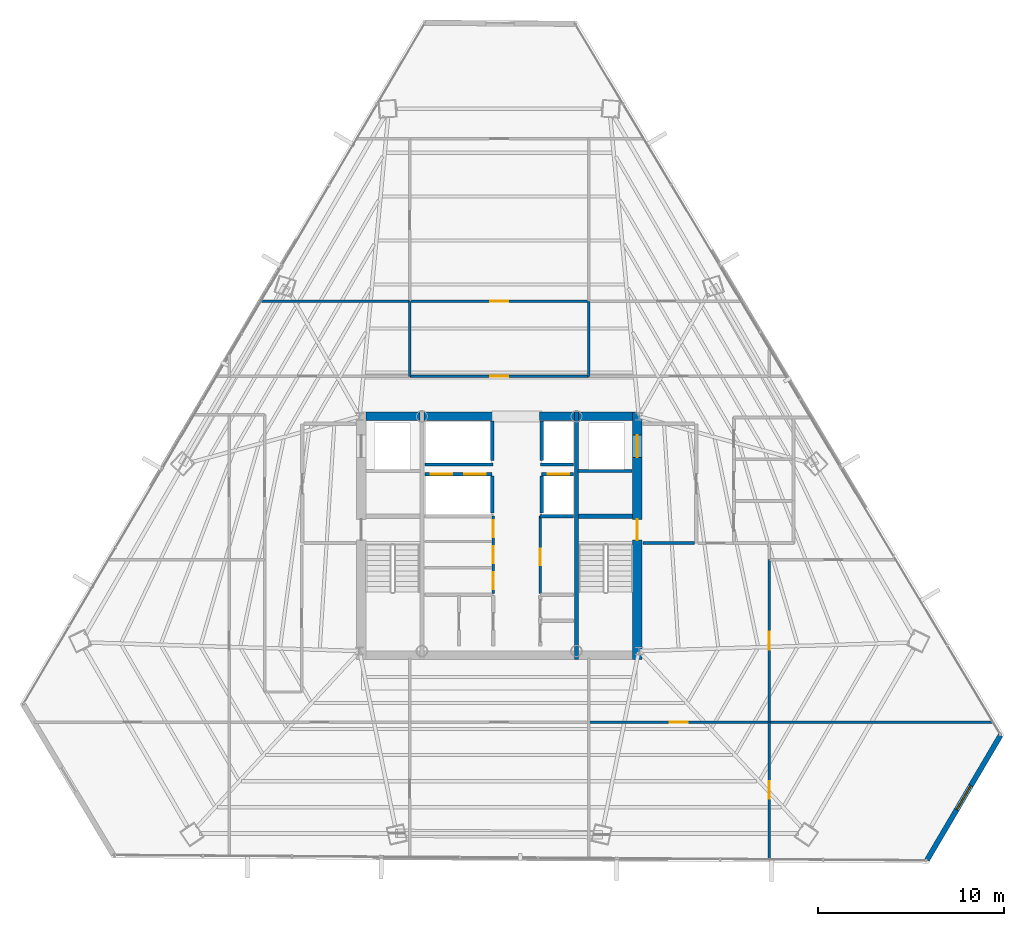
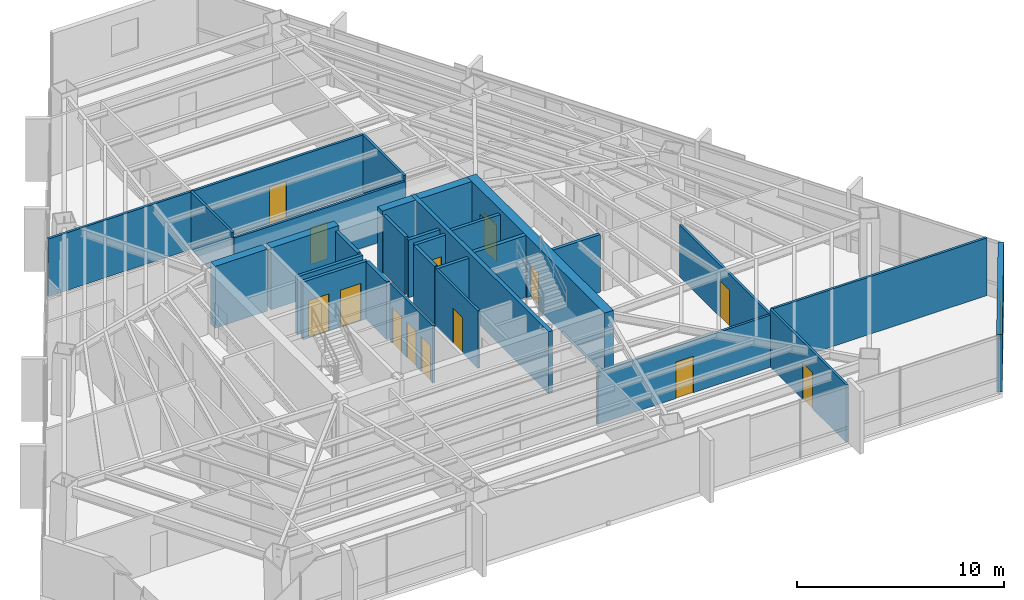
# One storey, part 36 of 41: 30 walls, 14 doors, 1 window, 15 openings.
"""IFC4 building model written with IfcOpenShell, lengths in metres."""

import ifcopenshell
import ifcopenshell.guid

model = None  # the IFC model being written
_history = None  # IfcOwnerHistory: only IFC2X3 demands one
_inside = {}  # id of a spatial element -> (the spatial element, [elements in it])
_under = {}  # id of a project, library or spatial element -> (it, [spatial elements below it])
_declared = {}  # id of a project -> (the project, [libraries it declares])
_typed = {}  # id of a type object -> (the type object, [elements of that type])
_made_of = {}  # id of a material, layer set ... -> (it, [elements and type objects made of it])


def new_model(schema):
    """Start an empty IFC model of exactly this schema.

    Asked for "IFC4X3", IfcOpenShell would pick the latest addendum, in which some entities
    have other attributes; the version numbers below select the first issue.
    IFC2X3 requires an IfcOwnerHistory on every rooted entity: one is made here for all.
    """
    global model, _history
    if schema == "IFC4X3":
        model = ifcopenshell.file(schema_version=(4, 3, 0, 0))
    else:
        model = ifcopenshell.file(schema=schema)
    _inside.clear()
    _under.clear()
    _declared.clear()
    _typed.clear()
    _made_of.clear()
    _history = None
    if model.schema == "IFC2X3":
        org = make("IfcOrganization", Name="unknown")
        user = make(
            "IfcPersonAndOrganization",
            ThePerson=make("IfcPerson", FamilyName="unknown"),
            TheOrganization=org,
        )
        app = make(
            "IfcApplication",
            ApplicationDeveloper=org,
            Version="unknown",
            ApplicationFullName="unknown",
            ApplicationIdentifier="unknown",
        )
        _history = make(
            "IfcOwnerHistory",
            OwningUser=user,
            OwningApplication=app,
            ChangeAction="ADDED",
            CreationDate=0,
        )
    return model


def make(cls, **values):
    """One entity of the class cls with the attributes given. An attribute that is None is left unset."""
    return model.create_entity(
        cls, **{name: value for name, value in values.items() if value is not None}
    )


def rooted(cls, **values):
    """An entity with a GlobalId (a new one), such as an element, a storey or a relation."""
    return make(cls, GlobalId=ifcopenshell.guid.new(), OwnerHistory=_history, **values)


def si_unit(unit_type, name, prefix=None):
    """IfcSIUnit, for example si_unit("LENGTHUNIT", "METRE", prefix="MILLI")."""
    return make("IfcSIUnit", UnitType=unit_type, Prefix=prefix, Name=name)


def assignment(units):
    """IfcUnitAssignment: the units of a project."""
    return None if units is None else make("IfcUnitAssignment", Units=units)


def point(xyz):
    """IfcCartesianPoint."""
    return None if xyz is None else make("IfcCartesianPoint", Coordinates=xyz)


def direction(xyz):
    """IfcDirection."""
    return None if xyz is None else make("IfcDirection", DirectionRatios=xyz)


def frame(location, z_axis=None, x_axis=None):
    """IfcAxis2Placement3D, a coordinate frame: its origin and axes. An axis left out is left unset."""
    return make(
        "IfcAxis2Placement3D",
        Location=point(location),
        Axis=direction(z_axis),
        RefDirection=direction(x_axis),
    )


def frame_2d(location, x_axis=None):
    """IfcAxis2Placement2D, a coordinate frame in the plane: its origin and x axis."""
    return make(
        "IfcAxis2Placement2D", Location=point(location), RefDirection=direction(x_axis)
    )


def origin():
    """The frame at (0, 0, 0) with its axes left unset."""
    return frame((0.0, 0.0, 0.0))


def place(relative_to, where):
    """IfcLocalPlacement: puts the frame where relative to a parent placement (None: the world)."""
    return make(
        "IfcLocalPlacement", PlacementRelTo=relative_to, RelativePlacement=where
    )


def context(
    kind, dimensions, precision=None, world=None, true_north=None, identifier=None
):
    """IfcGeometricRepresentationContext, for example the 3D "Model" context."""
    return make(
        "IfcGeometricRepresentationContext",
        ContextIdentifier=identifier,
        ContextType=kind,
        CoordinateSpaceDimension=dimensions,
        Precision=precision,
        WorldCoordinateSystem=world,
        TrueNorth=true_north,
    )


def subcontext(parent, identifier, kind, view, scale=None):
    """IfcGeometricRepresentationSubContext, for example "Body" below "Model"."""
    return make(
        "IfcGeometricRepresentationSubContext",
        ContextIdentifier=identifier,
        ContextType=kind,
        ParentContext=parent,
        TargetScale=scale,
        TargetView=view,
    )


def project(units=None, contexts=None):
    """IfcProject with its units and contexts."""
    return rooted(
        "IfcProject",
        Name="project",
        RepresentationContexts=contexts,
        UnitsInContext=assignment(units),
    )


def spatial(cls, under=None, at=None, **own):
    """A site, building, storey or space (cls), placed at a placement, below another one or the project."""
    s = rooted(cls, ObjectPlacement=at, **own)
    if under is not None:
        _under.setdefault(under.id(), (under, []))[1].append(s)
    return s


def profile(cls, at=None, kind="AREA", **sizes):
    """A parametric profile (cls). Its sizes go by their IFC names, for example OverallWidth=200.0."""
    return make(cls, ProfileType=kind, Position=at, **sizes)


def rectangle(**sizes):
    """IfcRectangleProfileDef."""
    return profile("IfcRectangleProfileDef", **sizes)


def extrude(swept, where, along, depth):
    """IfcExtrudedAreaSolid: the profile swept, set in the frame where, extruded along a direction by depth."""
    return make(
        "IfcExtrudedAreaSolid",
        SweptArea=swept,
        Position=where,
        ExtrudedDirection=direction(along),
        Depth=depth,
    )


def shape(context_of_items, identifier, shape_type, items):
    """IfcShapeRepresentation: the items that make up one representation, for example the "Body"."""
    return make(
        "IfcShapeRepresentation",
        ContextOfItems=context_of_items,
        RepresentationIdentifier=identifier,
        RepresentationType=shape_type,
        Items=items,
    )


def material(Name=None, Category=None):
    """IfcMaterial."""
    return make("IfcMaterial", Name=Name, Category=Category)


def layer(
    of_material, thickness, ventilated=None, Name=None, Category=None, Priority=None
):
    """IfcMaterialLayer: one layer of a wall or slab, of a material (None: an air gap)."""
    return make(
        "IfcMaterialLayer",
        Material=of_material,
        LayerThickness=thickness,
        IsVentilated=ventilated,
        Name=Name,
        Category=Category,
        Priority=Priority,
    )


def layer_set(layers, Name=None):
    """IfcMaterialLayerSet."""
    return make("IfcMaterialLayerSet", MaterialLayers=layers, LayerSetName=Name)


def made_of(thing, what):
    """Note that an element or type object is made of a material, layer set ...; save() writes the relation."""
    if what is not None:
        _made_of.setdefault(what.id(), (what, []))[1].append(thing)
    return thing


def type_object(cls, material=None, **own):
    """A type object (cls), such as IfcWallType, which elements share."""
    return made_of(rooted(cls, **own), material)


def element(
    cls,
    number,
    at=None,
    inside=None,
    cuts=None,
    type_object=None,
    material=None,
    context=None,
    identifier="Body",
    shape_type=None,
    held_by="IfcProductDefinitionShape",
    body=None,
    shapes=None,
    **own,
):
    """One element of the class cls, such as IfcWall. Its Tag is "e" and its number.

    at: its placement. inside: the storey or other place that contains it. cuts: it is an
    opening in that element (IfcRelVoidsElement). A single representation is given by context,
    identifier, shape_type and body (its items); several are given by shapes. held_by: the class
    of the entity that holds the representations. save() writes the other relations.
    """
    e = rooted(cls, Tag="e%d" % number, ObjectPlacement=at, **own)
    if body is not None:
        shapes = [shape(context, identifier, shape_type, body)]
    if shapes is not None:
        e.Representation = make(held_by, Representations=shapes)
    if inside is not None:
        _inside.setdefault(inside.id(), (inside, []))[1].append(e)
    if cuts is not None:
        rooted(
            "IfcRelVoidsElement", RelatingBuildingElement=cuts, RelatedOpeningElement=e
        )
    if type_object is not None:
        _typed.setdefault(type_object.id(), (type_object, []))[1].append(e)
    return made_of(e, material)


def fill(opening, filler):
    """IfcRelFillsElement: the door or window that sits in an opening."""
    return rooted(
        "IfcRelFillsElement",
        RelatingOpeningElement=opening,
        RelatedBuildingElement=filler,
    )


def aggregate(whole, parts):
    """IfcRelAggregates: a whole, such as a stair, and the parts it consists of."""
    return rooted("IfcRelAggregates", RelatingObject=whole, RelatedObjects=parts)


def save(model, path):
    """Write the relations noted so far, then the file.

    IfcRelAggregates (storeys below a building ...), IfcRelContainedInSpatialStructure (elements
    in a storey), IfcRelDefinesByType, IfcRelAssociatesMaterial and IfcRelDeclares: one each for
    every whole, place, type object, material and project.
    """
    for whole, parts in _under.values():
        aggregate(whole, parts)
    for where, things in _inside.values():
        rooted(
            "IfcRelContainedInSpatialStructure",
            RelatedElements=things,
            RelatingStructure=where,
        )
    for kind, things in _typed.values():
        rooted("IfcRelDefinesByType", RelatedObjects=things, RelatingType=kind)
    for what, things in _made_of.values():
        rooted("IfcRelAssociatesMaterial", RelatedObjects=things, RelatingMaterial=what)
    for by, libraries in _declared.values():
        rooted("IfcRelDeclares", RelatingContext=by, RelatedDefinitions=libraries)
    model.write(path)


model = new_model("IFC4")

# Units and contexts
model_context = context("Model", 3, precision=1e-05, world=origin(), true_north=direction((0.0, 1.0)))
body_context = subcontext(model_context, "Body", "Model", "MODEL_VIEW")
ifc_project = project(units=[si_unit("LENGTHUNIT", "METRE"), si_unit("AREAUNIT", "SQUARE_METRE"), si_unit("VOLUMEUNIT", "CUBIC_METRE"), si_unit("PLANEANGLEUNIT", "RADIAN"), si_unit("MASSUNIT", "GRAM", prefix="KILO")], contexts=[model_context])

# Site, building, storey
site_placement = place(None, origin())
site = spatial("IfcSite", under=ifc_project, at=site_placement, CompositionType="ELEMENT")
building_placement = place(site_placement, origin())
building = spatial("IfcBuilding", under=site, at=building_placement, Name="Caelisora Broadcast Tower", CompositionType="ELEMENT")
storey_placement = place(building_placement, frame((0.0, 0.0, 165.800048828125)))
storey = spatial("IfcBuildingStorey", under=building, at=storey_placement, Name="L43", CompositionType="ELEMENT", Elevation=165.800048828125)

# Wall, openings, doors
ifc_material_1 = material(Name="Concrete 50 MPa (AS 3600 S50)", Category="concrete")
ifc_layer_1 = layer(ifc_material_1, 0.5, Name="Concrete 50 MPa (AS 3600 S50)")
ifc_layer_set_1 = layer_set([ifc_layer_1], Name="Concrete 50 MPa (AS 3600 S50)")
wall_type_1 = type_object("IfcWallType", Name="CW2", PredefinedType="SHEAR", material=ifc_layer_set_1)
wall_1_placement = place(storey_placement, frame((45.409912109375, 16.949951171875, 0.0), z_axis=(0.0, 0.0, 1.0), x_axis=(0.0, 1.0, 0.0)))
wall_1 = element("IfcWall", 1, at=wall_1_placement, inside=storey, type_object=wall_type_1, Name="L43 core shear wall CW2", PredefinedType="SHEAR", context=body_context, shape_type="SweptSolid", body=[
    extrude(rectangle(XDim=13.275146484375, YDim=0.5, at=frame_2d((6.6376953125, 0.0))), origin(), (0.0, 0.0, 1.0), 3.64990234375),
])
opening_1_placement = place(wall_1_placement, frame((6.39990234375, 0.0, 0.0)))
opening_1 = element("IfcOpeningElement", 2, at=opening_1_placement, cuts=wall_1, Name="Opening FD04", PredefinedType="OPENING", context=body_context, shape_type="SweptSolid", body=[
    extrude(rectangle(XDim=1.1201171875, YDim=2.14990234375, at=frame_2d((0.56005859375, 1.074951171875))), frame((0.0, 0.261962890625, 0.0), z_axis=(0.0, -1.0, 0.0), x_axis=(1.0, 0.0, 0.0)), (0.0, 0.0, 1.0), 0.52392578125),
])
opening_2_placement = place(wall_1_placement, frame((10.85009765625, 0.0, 0.0)))
opening_2 = element("IfcOpeningElement", 3, at=opening_2_placement, cuts=wall_1, Name="Opening LD04", PredefinedType="OPENING", context=body_context, shape_type="SweptSolid", body=[
    extrude(rectangle(XDim=1.199951171875, YDim=2.199951171875, at=frame_2d((0.60009765625, 1.10009765625))), frame((0.0, 0.261962890625, 0.0), z_axis=(0.0, -1.0, 0.0), x_axis=(1.0, 0.0, 0.0)), (0.0, 0.0, 1.0), 0.52392578125),
])
ifc_material_2 = material(Name="Pressurised Fire-Isolated Stair Door", Category="steel")
door_type_1 = type_object("IfcDoorType", Name="FD04", OperationType="NOTDEFINED", PredefinedType="DOOR", material=ifc_material_2)
door_1_placement = place(opening_1_placement, origin())
door_1 = element("IfcDoor", 4, at=door_1_placement, inside=storey, type_object=door_type_1, Name="L43 door FD04 (L43-DR-ST2)", OperationType="SINGLE_SWING_RIGHT", OverallHeight=2.14990234375, OverallWidth=1.1201171875, PredefinedType="DOOR", context=body_context, shape_type="SweptSolid", body=[
    extrude(rectangle(XDim=1.1201171875, YDim=2.14990234375, at=frame_2d((0.56005859375, 1.074951171875))), frame((0.0, 0.02490234375, 0.0), z_axis=(0.0, -1.0, 0.0), x_axis=(1.0, 0.0, 0.0)), (0.0, 0.0, 1.0), 0.050048828125),
])
fill(opening_1, door_1)
ifc_material_3 = material(Name="Emergency Firefighting Lift Sliding Landing Door", Category="steel")
door_type_2 = type_object("IfcDoorType", Name="LD04", OperationType="NOTDEFINED", PredefinedType="DOOR", material=ifc_material_3)
door_2_placement = place(opening_2_placement, origin())
door_2 = element("IfcDoor", 5, at=door_2_placement, inside=storey, type_object=door_type_2, Name="L43 door LD04 (L43-LD-FFL2)", OperationType="SLIDING_TO_RIGHT", OverallHeight=2.199951171875, OverallWidth=1.199951171875, PredefinedType="DOOR", context=body_context, shape_type="SweptSolid", body=[
    extrude(rectangle(XDim=1.199951171875, YDim=2.199951171875, at=frame_2d((0.60009765625, 1.10009765625))), frame((0.0, 0.02490234375, 0.0), z_axis=(0.0, -1.0, 0.0), x_axis=(1.0, 0.0, 0.0)), (0.0, 0.0, 1.0), 0.050048828125),
])
fill(opening_2, door_2)

# Walls
ifc_layer_2 = layer(ifc_material_1, 0.449951171875, Name="Concrete 50 MPa (AS 3600 S50)")
ifc_layer_set_2 = layer_set([ifc_layer_2], Name="Concrete 50 MPa (AS 3600 S50)")
wall_type_2 = type_object("IfcWallType", Name="CW5", PredefinedType="SHEAR", material=ifc_layer_set_2)
wall_2_placement = place(storey_placement, frame((30.840087890625, 30.0, 0.0), z_axis=(0.0, 0.0, 1.0), x_axis=(1.0, 0.0, 0.0)))
element("IfcWall", 6, at=wall_2_placement, inside=storey, type_object=wall_type_2, Name="L43 core shear wall CW5", PredefinedType="SHEAR", context=body_context, shape_type="SweptSolid", body=[
    extrude(rectangle(XDim=2.89990234375, YDim=0.449951171875, at=frame_2d((1.449951171875, 0.0))), origin(), (0.0, 0.0, 1.0), 3.64990234375),
])
wall_3_placement = place(storey_placement, frame((33.9599609375, 30.0, 0.0), z_axis=(0.0, 0.0, 1.0), x_axis=(1.0, 0.0, 0.0)))
element("IfcWall", 7, at=wall_3_placement, inside=storey, type_object=wall_type_2, Name="L43 core shear wall CW5", PredefinedType="SHEAR", context=body_context, shape_type="SweptSolid", body=[
    extrude(rectangle(XDim=3.780029296875, YDim=0.449951171875, at=frame_2d((1.89013671875, 0.0))), origin(), (0.0, 0.0, 1.0), 3.64990234375),
])
wall_4_placement = place(storey_placement, frame((40.159912109375, 30.0, 0.0), z_axis=(0.0, 0.0, 1.0), x_axis=(1.0, 0.0, 0.0)))
element("IfcWall", 8, at=wall_4_placement, inside=storey, type_object=wall_type_2, Name="L43 core shear wall CW5", PredefinedType="SHEAR", context=body_context, shape_type="SweptSolid", body=[
    extrude(rectangle(XDim=1.880126953125, YDim=0.449951171875, at=frame_2d((0.93994140625, 0.0))), origin(), (0.0, 0.0, 1.0), 3.64990234375),
])
wall_5_placement = place(storey_placement, frame((42.260009765625, 30.0, 0.0), z_axis=(0.0, 0.0, 1.0), x_axis=(1.0, 0.0, 0.0)))
element("IfcWall", 9, at=wall_5_placement, inside=storey, type_object=wall_type_2, Name="L43 core shear wall CW5", PredefinedType="SHEAR", context=body_context, shape_type="SweptSolid", body=[
    extrude(rectangle(XDim=2.89990234375, YDim=0.449951171875, at=frame_2d((1.449951171875, 0.0))), origin(), (0.0, 0.0, 1.0), 3.64990234375),
])
ifc_layer_3 = layer(ifc_material_1, 0.219970703125, Name="Concrete 50 MPa (AS 3600 S50)")
ifc_layer_set_3 = layer_set([ifc_layer_3], Name="Concrete 50 MPa (AS 3600 S50)")
wall_type_3 = type_object("IfcWallType", Name="CW7", PredefinedType="SHEAR", material=ifc_layer_set_3)
wall_6_placement = place(storey_placement, frame((42.14990234375, 16.949951171875, 0.0), z_axis=(0.0, 0.0, 1.0), x_axis=(0.0, 1.0, 0.0)))
element("IfcWall", 10, at=wall_6_placement, inside=storey, type_object=wall_type_3, Name="L43 core shear wall CW7", PredefinedType="SHEAR", context=body_context, shape_type="SweptSolid", body=[
    extrude(rectangle(XDim=13.275146484375, YDim=0.219970703125, at=frame_2d((6.6376953125, 0.0))), origin(), (0.0, 0.0, 1.0), 3.64990234375),
])
wall_7_placement = place(storey_placement, frame((42.260009765625, 24.639892578125, 0.0), z_axis=(0.0, 0.0, 1.0), x_axis=(1.0, 0.0, 0.0)))
element("IfcWall", 11, at=wall_7_placement, inside=storey, type_object=wall_type_3, Name="L43 core shear wall CW7", PredefinedType="SHEAR", context=body_context, shape_type="SweptSolid", body=[
    extrude(rectangle(XDim=2.89990234375, YDim=0.219970703125, at=frame_2d((1.449951171875, 0.0))), origin(), (0.0, 0.0, 1.0), 3.64990234375),
])

# Wall, opening, window
ifc_material_4 = material(Name="Insulated Terracotta Spandrel Wall System", Category="masonry")
ifc_layer_4 = layer(ifc_material_4, 0.280029296875, Name="Insulated Terracotta Spandrel Wall System")
ifc_layer_set_4 = layer_set([ifc_layer_4], Name="Insulated Terracotta Spandrel Wall System")
wall_type_4 = type_object("IfcWallType", Name="EW1", PredefinedType="STANDARD", material=ifc_layer_set_4)
wall_8_placement = place(storey_placement, frame((64.921875, 12.8671875, 0.0), z_axis=(0.0, 0.0, 1.0), x_axis=(-0.507977246182, -0.861370487863, 0.0)))
wall_8 = element("IfcWall", 12, at=wall_8_placement, inside=storey, type_object=wall_type_4, Name="L43 exterior envelope wall EW1", PredefinedType="STANDARD", context=body_context, shape_type="SweptSolid", body=[
    extrude(rectangle(XDim=7.76708984375, YDim=0.280029296875, at=frame_2d((3.883544921875, 0.0))), origin(), (0.0, 0.0, 1.0), 3.39990234375),
])
opening_3_placement = place(wall_8_placement, frame((3.1298828125, 0.0, 0.89990234375)))
opening_3 = element("IfcOpeningElement", 13, at=opening_3_placement, cuts=wall_8, Name="Opening W02", PredefinedType="OPENING", context=body_context, shape_type="SweptSolid", body=[
    extrude(rectangle(XDim=1.5, YDim=1.800048828125, at=frame_2d((0.75, 0.89990234375))), frame((0.0, 0.152099609375, 0.0), z_axis=(0.0, -1.0, 0.0), x_axis=(1.0, 0.0, 0.0)), (0.0, 0.0, 1.0), 0.303955078125),
])
ifc_material_5 = material(Name="Double Glazed Terracotta-Framed Vision Window", Category="glass")
window_type = type_object("IfcWindowType", Name="W02", PartitioningType="SINGLE_PANEL", PredefinedType="WINDOW", material=ifc_material_5)
window_placement = place(opening_3_placement, origin())
window = element("IfcWindow", 14, at=window_placement, inside=storey, type_object=window_type, Name="L43 window W02 (L43-WN-CH0)", OverallHeight=1.800048828125, OverallWidth=1.5, PartitioningType="SINGLE_PANEL", PredefinedType="WINDOW", context=body_context, shape_type="SweptSolid", body=[
    extrude(rectangle(XDim=1.5, YDim=1.800048828125, at=frame_2d((0.75, 0.89990234375))), frame((0.0, 0.030029296875, 0.0), z_axis=(0.0, -1.0, 0.0), x_axis=(1.0, 0.0, 0.0)), (0.0, 0.0, 1.0), 0.06005859375),
])
fill(opening_3, window)

# Wall, openings, doors
ifc_material_6 = material(Name="Fire-Rated Gypsum Shaft and Compartment Wall", Category="gypsum")
ifc_layer_5 = layer(ifc_material_6, 0.179931640625, Name="Fire-Rated Gypsum Shaft and Compartment Wall")
ifc_layer_set_5 = layer_set([ifc_layer_5], Name="Fire-Rated Gypsum Shaft and Compartment Wall")
wall_type_5 = type_object("IfcWallType", Name="PW2", PredefinedType="PARTITIONING", material=ifc_layer_set_5)
wall_9_placement = place(storey_placement, frame((34.02001953125, 26.89990234375, 0.0), z_axis=(0.0, 0.0, 1.0), x_axis=(1.0, 0.0, 0.0)))
wall_9 = element("IfcWall", 15, at=wall_9_placement, inside=storey, type_object=wall_type_5, Name="L43 fire compartment wall PW2", PredefinedType="PARTITIONING", context=body_context, shape_type="SweptSolid", body=[
    extrude(rectangle(XDim=3.60009765625, YDim=0.179931640625, at=frame_2d((1.800048828125, 0.0))), origin(), (0.0, 0.0, 1.0), 3.39990234375),
])
opening_4_placement = place(wall_9_placement, frame((0.300048828125, 0.0, 0.0)))
opening_4 = element("IfcOpeningElement", 16, at=opening_4_placement, cuts=wall_9, Name="Opening LD02", PredefinedType="OPENING", context=body_context, shape_type="SweptSolid", body=[
    extrude(rectangle(XDim=1.14990234375, YDim=2.199951171875, at=frame_2d((0.574951171875, 1.10009765625))), frame((0.0, 0.10205078125, 0.0), z_axis=(0.0, -1.0, 0.0), x_axis=(1.0, 0.0, 0.0)), (0.0, 0.0, 1.0), 0.203857421875),
])
opening_5_placement = place(wall_9_placement, frame((2.10009765625, 0.0, 0.0)))
opening_5 = element("IfcOpeningElement", 17, at=opening_5_placement, cuts=wall_9, Name="Opening LD02", PredefinedType="OPENING", context=body_context, shape_type="SweptSolid", body=[
    extrude(rectangle(XDim=1.14990234375, YDim=2.199951171875, at=frame_2d((0.574951171875, 1.10009765625))), frame((0.0, 0.10205078125, 0.0), z_axis=(0.0, -1.0, 0.0), x_axis=(1.0, 0.0, 0.0)), (0.0, 0.0, 1.0), 0.203857421875),
])
ifc_material_7 = material(Name="High-Speed Express Lift Sliding Landing Door", Category="steel")
door_type_3 = type_object("IfcDoorType", Name="LD02", OperationType="NOTDEFINED", PredefinedType="DOOR", material=ifc_material_7)
door_3_placement = place(opening_4_placement, origin())
door_3 = element("IfcDoor", 18, at=door_3_placement, inside=storey, type_object=door_type_3, Name="L43 door LD02 (L43-LD-PLM1)", OperationType="SLIDING_TO_LEFT", OverallHeight=2.199951171875, OverallWidth=1.14990234375, PredefinedType="DOOR", context=body_context, shape_type="SweptSolid", body=[
    extrude(rectangle(XDim=1.14990234375, YDim=2.199951171875, at=frame_2d((0.574951171875, 1.10009765625))), frame((0.0, 0.02490234375, 0.0), z_axis=(0.0, -1.0, 0.0), x_axis=(1.0, 0.0, 0.0)), (0.0, 0.0, 1.0), 0.050048828125),
])
fill(opening_4, door_3)
door_4_placement = place(opening_5_placement, origin())
door_4 = element("IfcDoor", 19, at=door_4_placement, inside=storey, type_object=door_type_3, Name="L43 door LD02 (L43-LD-PLM2)", OperationType="SLIDING_TO_RIGHT", OverallHeight=2.199951171875, OverallWidth=1.14990234375, PredefinedType="DOOR", context=body_context, shape_type="SweptSolid", body=[
    extrude(rectangle(XDim=1.14990234375, YDim=2.199951171875, at=frame_2d((0.574951171875, 1.10009765625))), frame((0.0, 0.02490234375, 0.0), z_axis=(0.0, -1.0, 0.0), x_axis=(1.0, 0.0, 0.0)), (0.0, 0.0, 1.0), 0.050048828125),
])
fill(opening_5, door_4)

# Wall, opening, door
wall_10_placement = place(storey_placement, frame((40.280029296875, 26.89990234375, 0.0), z_axis=(0.0, 0.0, 1.0), x_axis=(1.0, 0.0, 0.0)))
wall_10 = element("IfcWall", 20, at=wall_10_placement, inside=storey, type_object=wall_type_5, Name="L43 fire compartment wall PW2", PredefinedType="PARTITIONING", context=body_context, shape_type="SweptSolid", body=[
    extrude(rectangle(XDim=1.699951171875, YDim=0.179931640625, at=frame_2d((0.85009765625, 0.0))), origin(), (0.0, 0.0, 1.0), 3.39990234375),
])
opening_6_placement = place(wall_10_placement, frame((0.320068359375, 0.0, 0.0)))
opening_6 = element("IfcOpeningElement", 21, at=opening_6_placement, cuts=wall_10, Name="Opening LD02", PredefinedType="OPENING", context=body_context, shape_type="SweptSolid", body=[
    extrude(rectangle(XDim=1.14990234375, YDim=2.199951171875, at=frame_2d((0.574951171875, 1.10009765625))), frame((0.0, 0.10205078125, 0.0), z_axis=(0.0, -1.0, 0.0), x_axis=(1.0, 0.0, 0.0)), (0.0, 0.0, 1.0), 0.203857421875),
])
door_5_placement = place(opening_6_placement, origin())
door_5 = element("IfcDoor", 22, at=door_5_placement, inside=storey, type_object=door_type_3, Name="L43 door LD02 (L43-LD-PLM3)", OperationType="SLIDING_TO_LEFT", OverallHeight=2.199951171875, OverallWidth=1.14990234375, PredefinedType="DOOR", context=body_context, shape_type="SweptSolid", body=[
    extrude(rectangle(XDim=1.14990234375, YDim=2.199951171875, at=frame_2d((0.574951171875, 1.10009765625))), frame((0.0, 0.02490234375, 0.0), z_axis=(0.0, -1.0, 0.0), x_axis=(1.0, 0.0, 0.0)), (0.0, 0.0, 1.0), 0.050048828125),
])
fill(opening_6, door_5)

# Walls
for number, where, z_axis, x_axis, name in (
    (23, (37.6201171875, 24.800048828125, 0.0), (0.0, 0.0, 1.0), (0.0, 1.0, 0.0), "L43 fire compartment wall PW2"),
    (24, (40.280029296875, 24.800048828125, 0.0), (0.0, 0.0, 1.0), (0.0, 1.0, 0.0), "L43 fire compartment wall PW2"),
):
    element("IfcWall", number, at=place(storey_placement, frame(where, z_axis=z_axis, x_axis=x_axis)), inside=storey, type_object=wall_type_5, Name=name, PredefinedType="PARTITIONING", context=body_context, shape_type="SweptSolid", body=[
        extrude(rectangle(XDim=2.0, YDim=0.179931640625, at=frame_2d((1.0, 0.0))), origin(), (0.0, 0.0, 1.0), 3.39990234375),
    ])
wall_11_placement = place(storey_placement, frame((40.199951171875, 24.639892578125, 0.0), z_axis=(0.0, 0.0, 1.0), x_axis=(1.0, 0.0, 0.0)))
element("IfcWall", 25, at=wall_11_placement, inside=storey, type_object=wall_type_5, Name="L43 fire compartment wall PW2", PredefinedType="PARTITIONING", context=body_context, shape_type="SweptSolid", body=[
    extrude(rectangle(XDim=1.780029296875, YDim=0.179931640625, at=frame_2d((0.89013671875, 0.0))), origin(), (0.0, 0.0, 1.0), 3.39990234375),
])
wall_12_placement = place(storey_placement, frame((34.02001953125, 27.419921875, 0.0), z_axis=(0.0, 0.0, 1.0), x_axis=(1.0, 0.0, 0.0)))
element("IfcWall", 26, at=wall_12_placement, inside=storey, type_object=wall_type_5, Name="L43 fire compartment wall PW2", PredefinedType="PARTITIONING", context=body_context, shape_type="SweptSolid", body=[
    extrude(rectangle(XDim=3.659912109375, YDim=0.179931640625, at=frame_2d((1.830078125, 0.0))), origin(), (0.0, 0.0, 1.0), 3.39990234375),
])
wall_13_placement = place(storey_placement, frame((40.219970703125, 27.419921875, 0.0), z_axis=(0.0, 0.0, 1.0), x_axis=(1.0, 0.0, 0.0)))
element("IfcWall", 27, at=wall_13_placement, inside=storey, type_object=wall_type_5, Name="L43 fire compartment wall PW2", PredefinedType="PARTITIONING", context=body_context, shape_type="SweptSolid", body=[
    extrude(rectangle(XDim=1.760009765625, YDim=0.179931640625, at=frame_2d((0.8798828125, 0.0))), origin(), (0.0, 0.0, 1.0), 3.39990234375),
])
for number, where, z_axis, x_axis, name in (
    (28, (37.6201171875, 27.639892578125, 0.0), (0.0, 0.0, 1.0), (0.0, 1.0, 0.0), "L43 fire compartment wall PW2"),
    (29, (40.280029296875, 27.639892578125, 0.0), (0.0, 0.0, 1.0), (0.0, 1.0, 0.0), "L43 fire compartment wall PW2"),
):
    element("IfcWall", number, at=place(storey_placement, frame(where, z_axis=z_axis, x_axis=x_axis)), inside=storey, type_object=wall_type_5, Name=name, PredefinedType="PARTITIONING", context=body_context, shape_type="SweptSolid", body=[
        extrude(rectangle(XDim=2.110107421875, YDim=0.179931640625, at=frame_2d((1.05517578125, 0.0))), origin(), (0.0, 0.0, 1.0), 3.39990234375),
    ])
wall_14_placement = place(storey_placement, frame((45.719970703125, 23.199951171875, 0.0), z_axis=(0.0, 0.0, 1.0), x_axis=(1.0, 0.0, 0.0)))
element("IfcWall", 30, at=wall_14_placement, inside=storey, type_object=wall_type_5, Name="L43 fire compartment wall PW2", PredefinedType="PARTITIONING", context=body_context, shape_type="SweptSolid", body=[
    extrude(rectangle(XDim=2.760009765625, YDim=0.179931640625, at=frame_2d((1.3798828125, 0.0))), origin(), (0.0, 0.0, 1.0), 3.39990234375),
])
wall_15_placement = place(storey_placement, frame((42.239990234375, 27.070068359375, 0.0), z_axis=(0.0, 0.0, 1.0), x_axis=(1.0, 0.0, 0.0)))
element("IfcWall", 31, at=wall_15_placement, inside=storey, type_object=wall_type_5, Name="L43 fire compartment wall PW2", PredefinedType="PARTITIONING", context=body_context, shape_type="SweptSolid", body=[
    extrude(rectangle(XDim=2.89990234375, YDim=0.179931640625, at=frame_2d((1.449951171875, 0.0))), origin(), (0.0, 0.0, 1.0), 3.39990234375),
])

# Wall, openings, doors
ifc_material_8 = material(Name="Acoustic Steel-Stud Plasterboard Partition", Category="gypsum")
ifc_layer_6 = layer(ifc_material_8, 0.1298828125, Name="Acoustic Steel-Stud Plasterboard Partition")
ifc_layer_set_6 = layer_set([ifc_layer_6], Name="Acoustic Steel-Stud Plasterboard Partition")
wall_type_6 = type_object("IfcWallType", Name="PW3", PredefinedType="PARTITIONING", material=ifc_layer_set_6)
wall_16_placement = place(storey_placement, frame((37.679931640625, 20.5, 0.0), z_axis=(0.0, 0.0, 1.0), x_axis=(0.0, 1.0, 0.0)))
wall_16 = element("IfcWall", 32, at=wall_16_placement, inside=storey, type_object=wall_type_6, Name="L43 internal partition PW3", PredefinedType="PARTITIONING", context=body_context, shape_type="SweptSolid", body=[
    extrude(rectangle(XDim=4.139892578125, YDim=0.1298828125, at=frame_2d((2.06982421875, 0.0))), origin(), (0.0, 0.0, 1.0), 3.39990234375),
])
opening_7_placement = place(wall_16_placement, frame((0.219970703125, 0.0, 0.0)))
opening_7 = element("IfcOpeningElement", 33, at=opening_7_placement, cuts=wall_16, Name="Opening FD03", PredefinedType="OPENING", context=body_context, shape_type="SweptSolid", body=[
    extrude(rectangle(XDim=0.89990234375, YDim=2.10009765625, at=frame_2d((0.449951171875, 1.050048828125))), frame((0.0, 0.076904296875, 0.0), z_axis=(0.0, -1.0, 0.0), x_axis=(1.0, 0.0, 0.0)), (0.0, 0.0, 1.0), 0.15380859375),
])
opening_8_placement = place(wall_16_placement, frame((1.6201171875, 0.0, 0.0)))
opening_8 = element("IfcOpeningElement", 34, at=opening_8_placement, cuts=wall_16, Name="Opening FD03", PredefinedType="OPENING", context=body_context, shape_type="SweptSolid", body=[
    extrude(rectangle(XDim=0.89990234375, YDim=2.10009765625, at=frame_2d((0.449951171875, 1.050048828125))), frame((0.0, 0.076904296875, 0.0), z_axis=(0.0, -1.0, 0.0), x_axis=(1.0, 0.0, 0.0)), (0.0, 0.0, 1.0), 0.15380859375),
])
opening_9_placement = place(wall_16_placement, frame((3.02001953125, 0.0, 0.0)))
opening_9 = element("IfcOpeningElement", 35, at=opening_9_placement, cuts=wall_16, Name="Opening FD03", PredefinedType="OPENING", context=body_context, shape_type="SweptSolid", body=[
    extrude(rectangle(XDim=0.89990234375, YDim=2.10009765625, at=frame_2d((0.449951171875, 1.050048828125))), frame((0.0, 0.076904296875, 0.0), z_axis=(0.0, -1.0, 0.0), x_axis=(1.0, 0.0, 0.0)), (0.0, 0.0, 1.0), 0.15380859375),
])
ifc_material_9 = material(Name="Single-Leaf Steel Riser Fire Access Door", Category="steel")
door_type_4 = type_object("IfcDoorType", Name="FD03", OperationType="NOTDEFINED", PredefinedType="DOOR", material=ifc_material_9)
door_6_placement = place(opening_7_placement, origin())
door_6 = element("IfcDoor", 36, at=door_6_placement, inside=storey, type_object=door_type_4, Name="L43 door FD03 (L43-DR-P13D1)", OperationType="SINGLE_SWING_LEFT", OverallHeight=2.10009765625, OverallWidth=0.89990234375, PredefinedType="DOOR", context=body_context, shape_type="SweptSolid", body=[
    extrude(rectangle(XDim=0.89990234375, YDim=2.10009765625, at=frame_2d((0.449951171875, 1.050048828125))), frame((0.0, 0.02490234375, 0.0), z_axis=(0.0, -1.0, 0.0), x_axis=(1.0, 0.0, 0.0)), (0.0, 0.0, 1.0), 0.050048828125),
])
fill(opening_7, door_6)
door_7_placement = place(opening_8_placement, origin())
door_7 = element("IfcDoor", 37, at=door_7_placement, inside=storey, type_object=door_type_4, Name="L43 door FD03 (L43-DR-P13D2)", OperationType="SINGLE_SWING_RIGHT", OverallHeight=2.10009765625, OverallWidth=0.89990234375, PredefinedType="DOOR", context=body_context, shape_type="SweptSolid", body=[
    extrude(rectangle(XDim=0.89990234375, YDim=2.10009765625, at=frame_2d((0.449951171875, 1.050048828125))), frame((0.0, 0.02490234375, 0.0), z_axis=(0.0, -1.0, 0.0), x_axis=(1.0, 0.0, 0.0)), (0.0, 0.0, 1.0), 0.050048828125),
])
fill(opening_8, door_7)
door_8_placement = place(opening_9_placement, origin())
door_8 = element("IfcDoor", 38, at=door_8_placement, inside=storey, type_object=door_type_4, Name="L43 door FD03 (L43-DR-P13D3)", OperationType="SINGLE_SWING_LEFT", OverallHeight=2.10009765625, OverallWidth=0.89990234375, PredefinedType="DOOR", context=body_context, shape_type="SweptSolid", body=[
    extrude(rectangle(XDim=0.89990234375, YDim=2.10009765625, at=frame_2d((0.449951171875, 1.050048828125))), frame((0.0, 0.02490234375, 0.0), z_axis=(0.0, -1.0, 0.0), x_axis=(1.0, 0.0, 0.0)), (0.0, 0.0, 1.0), 0.050048828125),
])
fill(opening_9, door_8)

# Wall, opening, door
wall_17_placement = place(storey_placement, frame((40.199951171875, 20.5, 0.0), z_axis=(0.0, 0.0, 1.0), x_axis=(0.0, 1.0, 0.0)))
wall_17 = element("IfcWall", 39, at=wall_17_placement, inside=storey, type_object=wall_type_6, Name="L43 internal partition PW3", PredefinedType="PARTITIONING", context=body_context, shape_type="SweptSolid", body=[
    extrude(rectangle(XDim=4.139892578125, YDim=0.1298828125, at=frame_2d((2.06982421875, 0.0))), origin(), (0.0, 0.0, 1.0), 3.39990234375),
])
opening_10_placement = place(wall_17_placement, frame((1.5, 0.0, 0.0)))
opening_10 = element("IfcOpeningElement", 40, at=opening_10_placement, cuts=wall_17, Name="Opening FD03", PredefinedType="OPENING", context=body_context, shape_type="SweptSolid", body=[
    extrude(rectangle(XDim=0.89990234375, YDim=2.10009765625, at=frame_2d((0.449951171875, 1.050048828125))), frame((0.0, 0.076904296875, 0.0), z_axis=(0.0, -1.0, 0.0), x_axis=(1.0, 0.0, 0.0)), (0.0, 0.0, 1.0), 0.15380859375),
])
door_9_placement = place(opening_10_placement, origin())
door_9 = element("IfcDoor", 41, at=door_9_placement, inside=storey, type_object=door_type_4, Name="L43 door FD03 (L43-DR-P14D1)", OperationType="SINGLE_SWING_RIGHT", OverallHeight=2.10009765625, OverallWidth=0.89990234375, PredefinedType="DOOR", context=body_context, shape_type="SweptSolid", body=[
    extrude(rectangle(XDim=0.89990234375, YDim=2.10009765625, at=frame_2d((0.449951171875, 1.050048828125))), frame((0.0, 0.02490234375, 0.0), z_axis=(0.0, -1.0, 0.0), x_axis=(1.0, 0.0, 0.0)), (0.0, 0.0, 1.0), 0.050048828125),
])
fill(opening_10, door_9)

# Wall
wall_18_placement = place(storey_placement, frame((52.5048828125, 13.580078125, 0.0), z_axis=(0.0, 0.0, 1.0), x_axis=(1.0, 0.0, 0.0)))
element("IfcWall", 42, at=wall_18_placement, inside=storey, type_object=wall_type_6, Name="L43 internal partition PW3", PredefinedType="PARTITIONING", context=body_context, shape_type="SweptSolid", body=[
    extrude(rectangle(XDim=12.026611328125, YDim=0.1298828125, at=frame_2d((6.01318359375, 0.0))), origin(), (0.0, 0.0, 1.0), 3.39990234375),
])

# Wall, opening, door
wall_19_placement = place(storey_placement, frame((42.804931640625, 13.580078125, 0.0), z_axis=(0.0, 0.0, 1.0), x_axis=(1.0, 0.0, 0.0)))
wall_19 = element("IfcWall", 43, at=wall_19_placement, inside=storey, type_object=wall_type_6, Name="L43 internal partition PW3", PredefinedType="PARTITIONING", context=body_context, shape_type="SweptSolid", body=[
    extrude(rectangle(XDim=9.690185546875, YDim=0.1298828125, at=frame_2d((4.84521484375, 0.0))), origin(), (0.0, 0.0, 1.0), 3.07763671875),
])
opening_11_placement = place(wall_19_placement, frame((4.364990234375, 0.0, 0.0)))
opening_11 = element("IfcOpeningElement", 44, at=opening_11_placement, cuts=wall_19, Name="Opening D01", PredefinedType="OPENING", context=body_context, shape_type="SweptSolid", body=[
    extrude(rectangle(XDim=0.9599609375, YDim=2.14990234375, at=frame_2d((0.47998046875, 1.074951171875))), frame((0.0, 0.076904296875, 0.0), z_axis=(0.0, -1.0, 0.0), x_axis=(1.0, 0.0, 0.0)), (0.0, 0.0, 1.0), 0.15380859375),
])
ifc_material_10 = material(Name="Solid-Core Timber Acoustic Office Door", Category="wood")
door_type_5 = type_object("IfcDoorType", Name="D01", OperationType="NOTDEFINED", PredefinedType="DOOR", material=ifc_material_10)
door_10_placement = place(opening_11_placement, origin())
door_10 = element("IfcDoor", 45, at=door_10_placement, inside=storey, type_object=door_type_5, Name="L43 door D01 (L43-DR-P37D1)", OperationType="SINGLE_SWING_RIGHT", OverallHeight=2.14990234375, OverallWidth=0.9599609375, PredefinedType="DOOR", context=body_context, shape_type="SweptSolid", body=[
    extrude(rectangle(XDim=0.9599609375, YDim=2.14990234375, at=frame_2d((0.47998046875, 1.074951171875))), frame((0.0, 0.02490234375, 0.0), z_axis=(0.0, -1.0, 0.0), x_axis=(1.0, 0.0, 0.0)), (0.0, 0.0, 1.0), 0.050048828125),
])
fill(opening_11, door_10)

wall_20_placement = place(storey_placement, frame((33.205078125, 32.14990234375, 0.0), z_axis=(0.0, 0.0, 1.0), x_axis=(1.0, 0.0, 0.0)))
wall_20 = element("IfcWall", 46, at=wall_20_placement, inside=storey, type_object=wall_type_6, Name="L43 internal partition PW3", PredefinedType="PARTITIONING", context=body_context, shape_type="SweptSolid", body=[
    extrude(rectangle(XDim=9.58984375, YDim=0.1298828125, at=frame_2d((4.794921875, 0.0))), origin(), (0.0, 0.0, 1.0), 3.07763671875),
])
opening_12_placement = place(wall_20_placement, frame((4.31494140625, 0.0, 0.0)))
opening_12 = element("IfcOpeningElement", 47, at=opening_12_placement, cuts=wall_20, Name="Opening D01", PredefinedType="OPENING", context=body_context, shape_type="SweptSolid", body=[
    extrude(rectangle(XDim=0.9599609375, YDim=2.14990234375, at=frame_2d((0.47998046875, 1.074951171875))), frame((0.0, 0.076904296875, 0.0), z_axis=(0.0, -1.0, 0.0), x_axis=(1.0, 0.0, 0.0)), (0.0, 0.0, 1.0), 0.15380859375),
])
door_11_placement = place(opening_12_placement, origin())
door_11 = element("IfcDoor", 48, at=door_11_placement, inside=storey, type_object=door_type_5, Name="L43 door D01 (L43-DR-P38D1)", OperationType="SINGLE_SWING_LEFT", OverallHeight=2.14990234375, OverallWidth=0.9599609375, PredefinedType="DOOR", context=body_context, shape_type="SweptSolid", body=[
    extrude(rectangle(XDim=0.9599609375, YDim=2.14990234375, at=frame_2d((0.47998046875, 1.074951171875))), frame((0.0, 0.02490234375, 0.0), z_axis=(0.0, -1.0, 0.0), x_axis=(1.0, 0.0, 0.0)), (0.0, 0.0, 1.0), 0.050048828125),
])
fill(opening_12, door_11)

wall_21_placement = place(storey_placement, frame((33.205078125, 36.179931640625, 0.0), z_axis=(0.0, 0.0, 1.0), x_axis=(1.0, 0.0, 0.0)))
wall_21 = element("IfcWall", 49, at=wall_21_placement, inside=storey, type_object=wall_type_6, Name="L43 internal partition PW3", PredefinedType="PARTITIONING", context=body_context, shape_type="SweptSolid", body=[
    extrude(rectangle(XDim=9.58984375, YDim=0.1298828125, at=frame_2d((4.794921875, 0.0))), origin(), (0.0, 0.0, 1.0), 3.39990234375),
])
opening_13_placement = place(wall_21_placement, frame((4.31494140625, 0.0, 0.0)))
opening_13 = element("IfcOpeningElement", 50, at=opening_13_placement, cuts=wall_21, Name="Opening D01", PredefinedType="OPENING", context=body_context, shape_type="SweptSolid", body=[
    extrude(rectangle(XDim=0.9599609375, YDim=2.14990234375, at=frame_2d((0.47998046875, 1.074951171875))), frame((0.0, 0.076904296875, 0.0), z_axis=(0.0, -1.0, 0.0), x_axis=(1.0, 0.0, 0.0)), (0.0, 0.0, 1.0), 0.15380859375),
])
door_12_placement = place(opening_13_placement, origin())
door_12 = element("IfcDoor", 51, at=door_12_placement, inside=storey, type_object=door_type_5, Name="L43 door D01 (L43-DR-P41D1)", OperationType="SINGLE_SWING_RIGHT", OverallHeight=2.14990234375, OverallWidth=0.9599609375, PredefinedType="DOOR", context=body_context, shape_type="SweptSolid", body=[
    extrude(rectangle(XDim=0.9599609375, YDim=2.14990234375, at=frame_2d((0.47998046875, 1.074951171875))), frame((0.0, 0.02490234375, 0.0), z_axis=(0.0, -1.0, 0.0), x_axis=(1.0, 0.0, 0.0)), (0.0, 0.0, 1.0), 0.050048828125),
])
fill(opening_13, door_12)

wall_22_placement = place(storey_placement, frame((52.5, 13.5849609375, 0.0), z_axis=(0.0, 0.0, 1.0), x_axis=(0.0, 1.0, 0.0)))
wall_22 = element("IfcWall", 52, at=wall_22_placement, inside=storey, type_object=wall_type_6, Name="L43 internal partition PW3", PredefinedType="PARTITIONING", context=body_context, shape_type="SweptSolid", body=[
    extrude(rectangle(XDim=8.719970703125, YDim=0.1298828125, at=frame_2d((4.35986328125, 0.0))), origin(), (0.0, 0.0, 1.0), 3.07763671875),
])
opening_14_placement = place(wall_22_placement, frame((3.8798828125, 0.0, 0.0)))
opening_14 = element("IfcOpeningElement", 53, at=opening_14_placement, cuts=wall_22, Name="Opening D01", PredefinedType="OPENING", context=body_context, shape_type="SweptSolid", body=[
    extrude(rectangle(XDim=0.9599609375, YDim=2.14990234375, at=frame_2d((0.47998046875, 1.074951171875))), frame((0.0, 0.076904296875, 0.0), z_axis=(0.0, -1.0, 0.0), x_axis=(1.0, 0.0, 0.0)), (0.0, 0.0, 1.0), 0.15380859375),
])
door_13_placement = place(opening_14_placement, origin())
door_13 = element("IfcDoor", 54, at=door_13_placement, inside=storey, type_object=door_type_5, Name="L43 door D01 (L43-DR-P43D1)", OperationType="SINGLE_SWING_RIGHT", OverallHeight=2.14990234375, OverallWidth=0.9599609375, PredefinedType="DOOR", context=body_context, shape_type="SweptSolid", body=[
    extrude(rectangle(XDim=0.9599609375, YDim=2.14990234375, at=frame_2d((0.47998046875, 1.074951171875))), frame((0.0, 0.02490234375, 0.0), z_axis=(0.0, -1.0, 0.0), x_axis=(1.0, 0.0, 0.0)), (0.0, 0.0, 1.0), 0.050048828125),
])
fill(opening_14, door_13)

# Wall
wall_23_placement = place(storey_placement, frame((25.192626953125, 36.179931640625, 0.0), z_axis=(0.0, 0.0, 1.0), x_axis=(1.0, 0.0, 0.0)))
element("IfcWall", 55, at=wall_23_placement, inside=storey, type_object=wall_type_6, Name="L43 internal partition PW3", PredefinedType="PARTITIONING", context=body_context, shape_type="SweptSolid", body=[
    extrude(rectangle(XDim=8.00244140625, YDim=0.1298828125, at=frame_2d((4.001220703125, 0.0))), origin(), (0.0, 0.0, 1.0), 3.39990234375),
])

# Wall, opening, door
wall_24_placement = place(storey_placement, frame((52.5, 6.201416015625, 0.0), z_axis=(0.0, 0.0, 1.0), x_axis=(0.0, 1.0, 0.0)))
wall_24 = element("IfcWall", 56, at=wall_24_placement, inside=storey, type_object=wall_type_6, Name="L43 internal partition PW3", PredefinedType="PARTITIONING", context=body_context, shape_type="SweptSolid", body=[
    extrude(rectangle(XDim=7.37353515625, YDim=0.1298828125, at=frame_2d((3.686767578125, 0.0))), origin(), (0.0, 0.0, 1.0), 3.39990234375),
])
opening_15_placement = place(wall_24_placement, frame((3.251953125, 0.0, 0.0)))
opening_15 = element("IfcOpeningElement", 57, at=opening_15_placement, cuts=wall_24, Name="Opening D01", PredefinedType="OPENING", context=body_context, shape_type="SweptSolid", body=[
    extrude(rectangle(XDim=0.9599609375, YDim=2.14990234375, at=frame_2d((0.47998046875, 1.074951171875))), frame((0.0, 0.076904296875, 0.0), z_axis=(0.0, -1.0, 0.0), x_axis=(1.0, 0.0, 0.0)), (0.0, 0.0, 1.0), 0.15380859375),
])
door_14_placement = place(opening_15_placement, origin())
door_14 = element("IfcDoor", 58, at=door_14_placement, inside=storey, type_object=door_type_5, Name="L43 door D01 (L43-DR-P52D1)", OperationType="SINGLE_SWING_RIGHT", OverallHeight=2.14990234375, OverallWidth=0.9599609375, PredefinedType="DOOR", context=body_context, shape_type="SweptSolid", body=[
    extrude(rectangle(XDim=0.9599609375, YDim=2.14990234375, at=frame_2d((0.47998046875, 1.074951171875))), frame((0.0, 0.02490234375, 0.0), z_axis=(0.0, -1.0, 0.0), x_axis=(1.0, 0.0, 0.0)), (0.0, 0.0, 1.0), 0.050048828125),
])
fill(opening_15, door_14)

# Walls
for number, where, z_axis, x_axis, name in (
    (59, (42.800048828125, 32.155029296875, 0.0), (0.0, 0.0, 1.0), (0.0, 1.0, 0.0), "L43 internal partition PW3"),
    (60, (33.199951171875, 32.155029296875, 0.0), (0.0, 0.0, 1.0), (0.0, 1.0, 0.0), "L43 internal partition PW3"),
):
    element("IfcWall", number, at=place(storey_placement, frame(where, z_axis=z_axis, x_axis=x_axis)), inside=storey, type_object=wall_type_6, Name=name, PredefinedType="PARTITIONING", context=body_context, shape_type="SweptSolid", body=[
        extrude(rectangle(XDim=4.02001953125, YDim=0.1298828125, at=frame_2d((2.010009765625, 0.0))), origin(), (0.0, 0.0, 1.0), 3.39990234375),
    ])

save(model, "model.ifc")
